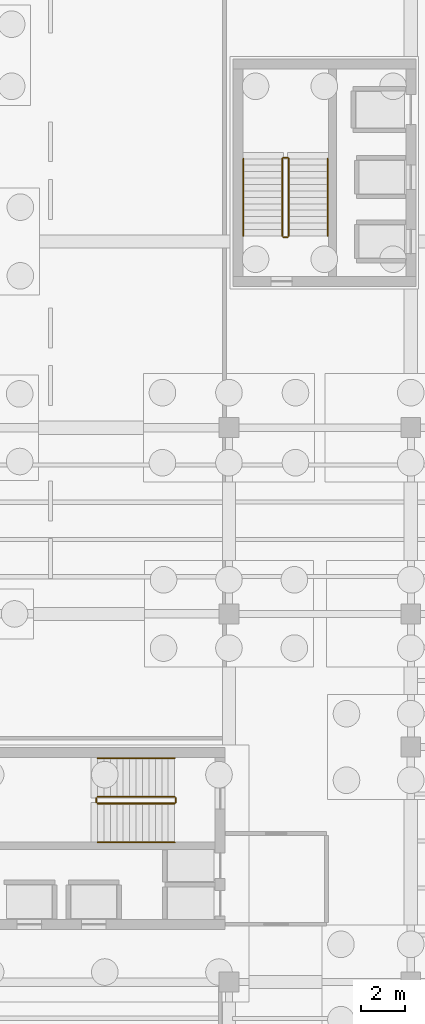
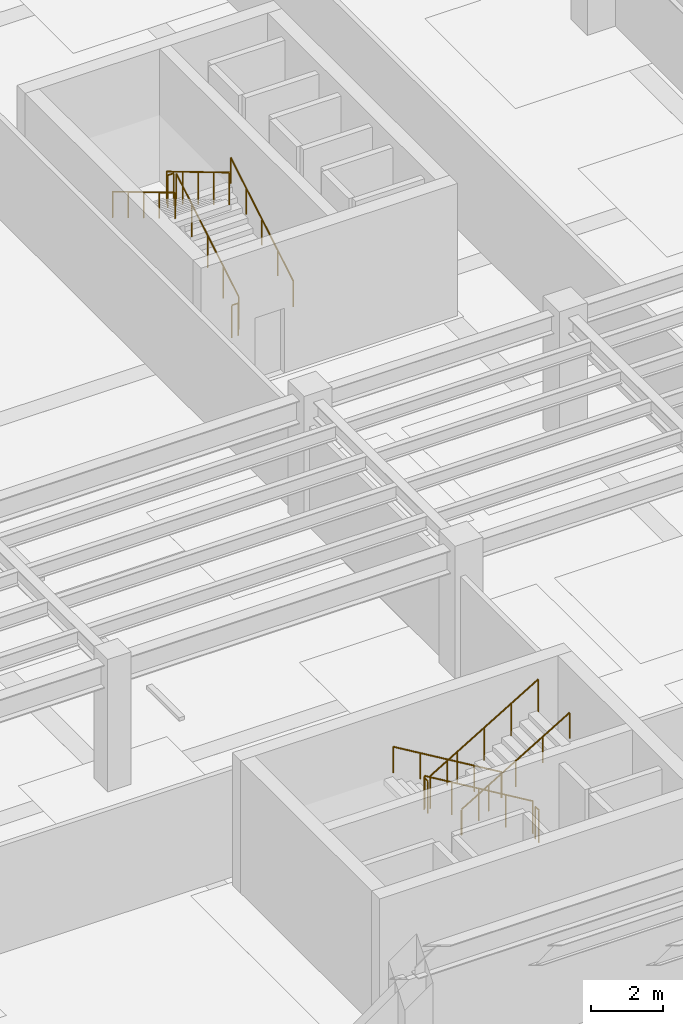
# One storey, part 48 of 49: 12 railings.
"""IFC4 building model written with IfcOpenShell, lengths in metres."""

from ifc_helpers import new_model, si_unit, direction, frame, origin, origin_2d, place, context, subcontext, project, spatial, circle, extrude, material, type_object, element, save


model = new_model("IFC4")

# Units and contexts
model_context = context("Model", 3, precision=1e-05, world=origin(), true_north=direction((0.0, 1.0)))
body_context = subcontext(model_context, "Body", "Model", "MODEL_VIEW")
ifc_project = project(units=[si_unit("LENGTHUNIT", "METRE"), si_unit("AREAUNIT", "SQUARE_METRE"), si_unit("VOLUMEUNIT", "CUBIC_METRE"), si_unit("PLANEANGLEUNIT", "RADIAN"), si_unit("MASSUNIT", "GRAM", prefix="KILO")], contexts=[model_context])

# Site, building, storey
site_placement = place(None, origin())
site = spatial("IfcSite", under=ifc_project, at=site_placement, CompositionType="ELEMENT")
building_placement = place(site_placement, origin())
building = spatial("IfcBuilding", under=site, at=building_placement, Name="Sollismere Congress Hotel", CompositionType="ELEMENT")
storey_placement = place(building_placement, frame((0.0, 0.0, -4.5)))
storey = spatial("IfcBuildingStorey", under=building, at=storey_placement, Name="B1", CompositionType="ELEMENT", Elevation=-4.5)

# Railings
ifc_material_1 = material(Name="Steel ASTM A500 Grade C", Category="steel")
railing_type_1 = type_object("IfcRailingType", Name="RL-GRD112", PredefinedType="GUARDRAIL", material=ifc_material_1)
railing_1_placement = place(storey_placement, frame((144.75, 16.550048828125, 0.173095703125)))
element("IfcRailing", 1, at=railing_1_placement, inside=storey, type_object=railing_type_1, Name="RLG-RG-ST-01-B1-1", PredefinedType="GUARDRAIL", context=body_context, shape_type="SweptSolid", body=[
    extrude(circle(Radius=0.02392578125, at=origin_2d()), frame((0.0, 0.0, 1.09619140625), z_axis=(-0.858697190188, 0.0, 0.512483302717), x_axis=(0.0, -1.0, 0.0)), (0.0, 0.0, 1.0), 4.052734375),
    extrude(circle(Radius=0.02099609375, at=origin_2d()), origin(), (0.0, 0.0, 1.0), 1.072021484375),
    extrude(circle(Radius=0.02099609375, at=origin_2d()), frame((-0.8701171875, 0.0, 0.519287109375)), (0.0, 0.0, 1.0), 1.072021484375),
    extrude(circle(Radius=0.02099609375, at=origin_2d()), frame((-1.739990234375, 0.0, 1.03857421875)), (0.0, 0.0, 1.0), 1.072021484375),
    extrude(circle(Radius=0.02099609375, at=origin_2d()), frame((-2.60986328125, 0.0, 1.5576171875)), (0.0, 0.0, 1.0), 1.072021484375),
    extrude(circle(Radius=0.02099609375, at=origin_2d()), frame((-3.47998046875, 0.0, 2.076904296875)), (0.0, 0.0, 1.0), 1.072021484375),
])
railing_2_placement = place(storey_placement, frame((141.219970703125, 16.5, 2.25)))
element("IfcRailing", 2, at=railing_2_placement, inside=storey, type_object=railing_type_1, Name="RLG-RG-ST-01-B1-2", PredefinedType="GUARDRAIL", context=body_context, shape_type="SweptSolid", body=[
    extrude(circle(Radius=0.02392578125, at=origin_2d()), frame((0.0, 0.0, 1.09619140625), z_axis=(0.0, -1.0, 0.0), x_axis=(1.0, 0.0, 0.0)), (0.0, 0.0, 1.0), 0.199951171875),
    extrude(circle(Radius=0.02099609375, at=origin_2d()), origin(), (0.0, 0.0, 1.0), 1.072021484375),
    extrude(circle(Radius=0.02099609375, at=origin_2d()), frame((0.0, -0.199951171875, 0.0)), (0.0, 0.0, 1.0), 1.072021484375),
])
railing_3_placement = place(storey_placement, frame((141.27001953125, 16.25, 2.423095703125)))
element("IfcRailing", 3, at=railing_3_placement, inside=storey, type_object=railing_type_1, Name="RLG-RG-ST-01-B1-3", PredefinedType="GUARDRAIL", context=body_context, shape_type="SweptSolid", body=[
    extrude(circle(Radius=0.02392578125, at=origin_2d()), frame((0.0, 0.0, 1.09619140625), z_axis=(0.858697190188, 0.0, 0.512483302717), x_axis=(0.0, 1.0, 0.0)), (0.0, 0.0, 1.0), 4.052734375),
    extrude(circle(Radius=0.02099609375, at=origin_2d()), origin(), (0.0, 0.0, 1.0), 1.072021484375),
    extrude(circle(Radius=0.02099609375, at=origin_2d()), frame((0.8701171875, 0.0, 0.519287109375)), (0.0, 0.0, 1.0), 1.072021484375),
    extrude(circle(Radius=0.02099609375, at=origin_2d()), frame((1.739990234375, 0.0, 1.03857421875)), (0.0, 0.0, 1.0), 1.072021484375),
    extrude(circle(Radius=0.02099609375, at=origin_2d()), frame((2.60986328125, 0.0, 1.5576171875)), (0.0, 0.0, 1.0), 1.072021484375),
    extrude(circle(Radius=0.02099609375, at=origin_2d()), frame((3.47998046875, 0.0, 2.076904296875)), (0.0, 0.0, 1.0), 1.072021484375),
])
railing_4_placement = place(storey_placement, frame((144.800048828125, 16.5, 0.0)))
element("IfcRailing", 4, at=railing_4_placement, inside=storey, type_object=railing_type_1, Name="RLG-RG-ST-01-B1-4", PredefinedType="GUARDRAIL", context=body_context, shape_type="SweptSolid", body=[
    extrude(circle(Radius=0.02392578125, at=origin_2d()), frame((0.0, 0.0, 1.09619140625), z_axis=(0.0, -1.0, 0.0), x_axis=(1.0, 0.0, 0.0)), (0.0, 0.0, 1.0), 0.199951171875),
    extrude(circle(Radius=0.02099609375, at=origin_2d()), origin(), (0.0, 0.0, 1.0), 1.072021484375),
    extrude(circle(Radius=0.02099609375, at=origin_2d()), frame((0.0, -0.199951171875, 0.0)), (0.0, 0.0, 1.0), 1.072021484375),
])
railing_5_placement = place(storey_placement, frame((149.89990234375, 41.85009765625, 0.173095703125)))
element("IfcRailing", 5, at=railing_5_placement, inside=storey, type_object=railing_type_1, Name="RLG-RG-ST-03-B1-1", PredefinedType="GUARDRAIL", context=body_context, shape_type="SweptSolid", body=[
    extrude(circle(Radius=0.02392578125, at=origin_2d()), frame((0.0, 0.0, 1.09619140625), z_axis=(0.0, 0.858697190188, 0.512483302717), x_axis=(-1.0, 0.0, 0.0)), (0.0, 0.0, 1.0), 4.052734375),
    extrude(circle(Radius=0.02099609375, at=origin_2d()), origin(), (0.0, 0.0, 1.0), 1.072021484375),
    extrude(circle(Radius=0.02099609375, at=origin_2d()), frame((0.0, 0.8701171875, 0.519287109375)), (0.0, 0.0, 1.0), 1.072021484375),
    extrude(circle(Radius=0.02099609375, at=origin_2d()), frame((0.0, 1.739990234375, 1.03857421875)), (0.0, 0.0, 1.0), 1.072021484375),
    extrude(circle(Radius=0.02099609375, at=origin_2d()), frame((0.0, 2.60986328125, 1.5576171875)), (0.0, 0.0, 1.0), 1.072021484375),
    extrude(circle(Radius=0.02099609375, at=origin_2d()), frame((0.0, 3.47998046875, 2.076904296875)), (0.0, 0.0, 1.0), 1.072021484375),
])
railing_6_placement = place(storey_placement, frame((149.85009765625, 45.3798828125, 2.25)))
element("IfcRailing", 6, at=railing_6_placement, inside=storey, type_object=railing_type_1, Name="RLG-RG-ST-03-B1-2", PredefinedType="GUARDRAIL", context=body_context, shape_type="SweptSolid", body=[
    extrude(circle(Radius=0.02392578125, at=origin_2d()), frame((0.0, 0.0, 1.09619140625), z_axis=(-1.0, 0.0, 0.0), x_axis=(0.0, -1.0, 0.0)), (0.0, 0.0, 1.0), 0.2001953125),
    extrude(circle(Radius=0.02099609375, at=origin_2d()), origin(), (0.0, 0.0, 1.0), 1.072021484375),
    extrude(circle(Radius=0.02099609375, at=origin_2d()), frame((-0.2001953125, 0.0, 0.0)), (0.0, 0.0, 1.0), 1.072021484375),
])
railing_7_placement = place(storey_placement, frame((149.60009765625, 45.330078125, 2.423095703125)))
element("IfcRailing", 7, at=railing_7_placement, inside=storey, type_object=railing_type_1, Name="RLG-RG-ST-03-B1-3", PredefinedType="GUARDRAIL", context=body_context, shape_type="SweptSolid", body=[
    extrude(circle(Radius=0.02392578125, at=origin_2d()), frame((0.0, 0.0, 1.09619140625), z_axis=(0.0, -0.858697190188, 0.512483302717), x_axis=(1.0, 0.0, 0.0)), (0.0, 0.0, 1.0), 4.052734375),
    extrude(circle(Radius=0.02099609375, at=origin_2d()), origin(), (0.0, 0.0, 1.0), 1.072021484375),
    extrude(circle(Radius=0.02099609375, at=origin_2d()), frame((0.0, -0.8701171875, 0.519287109375)), (0.0, 0.0, 1.0), 1.072021484375),
    extrude(circle(Radius=0.02099609375, at=origin_2d()), frame((0.0, -1.739990234375, 1.03857421875)), (0.0, 0.0, 1.0), 1.072021484375),
    extrude(circle(Radius=0.02099609375, at=origin_2d()), frame((0.0, -2.60986328125, 1.5576171875)), (0.0, 0.0, 1.0), 1.072021484375),
    extrude(circle(Radius=0.02099609375, at=origin_2d()), frame((0.0, -3.47998046875, 2.076904296875)), (0.0, 0.0, 1.0), 1.072021484375),
])
railing_8_placement = place(storey_placement, frame((149.85009765625, 41.800048828125, 0.0)))
element("IfcRailing", 8, at=railing_8_placement, inside=storey, type_object=railing_type_1, Name="RLG-RG-ST-03-B1-4", PredefinedType="GUARDRAIL", context=body_context, shape_type="SweptSolid", body=[
    extrude(circle(Radius=0.02392578125, at=origin_2d()), frame((0.0, 0.0, 1.09619140625), z_axis=(-1.0, 0.0, 0.0), x_axis=(0.0, -1.0, 0.0)), (0.0, 0.0, 1.0), 0.2001953125),
    extrude(circle(Radius=0.02099609375, at=origin_2d()), origin(), (0.0, 0.0, 1.0), 1.072021484375),
    extrude(circle(Radius=0.02099609375, at=origin_2d()), frame((-0.2001953125, 0.0, 0.0)), (0.0, 0.0, 1.0), 1.072021484375),
])
ifc_material_2 = material(Name="Brushed Architectural Bronze")
railing_type_2 = type_object("IfcRailingType", Name="RL-HND90", PredefinedType="HANDRAIL", material=ifc_material_2)
railing_9_placement = place(storey_placement, frame((144.75, 18.300048828125, 0.322265625)))
element("IfcRailing", 9, at=railing_9_placement, inside=storey, type_object=railing_type_2, Name="RLG-RH-ST-01-B1-1", PredefinedType="HANDRAIL", context=body_context, shape_type="SweptSolid", body=[
    extrude(circle(Radius=0.02392578125, at=origin_2d()), frame((0.0, 0.0, 0.8759765625), z_axis=(-0.858697190188, 0.0, 0.512483302717), x_axis=(0.0, -1.0, 0.0)), (0.0, 0.0, 1.0), 4.052734375),
    extrude(circle(Radius=0.02099609375, at=origin_2d()), origin(), (0.0, 0.0, 1.0), 0.851806640625),
    extrude(circle(Radius=0.02099609375, at=origin_2d()), frame((-0.8701171875, 0.0, 0.519287109375)), (0.0, 0.0, 1.0), 0.851806640625),
    extrude(circle(Radius=0.02099609375, at=origin_2d()), frame((-1.739990234375, 0.0, 1.03857421875)), (0.0, 0.0, 1.0), 0.851806640625),
    extrude(circle(Radius=0.02099609375, at=origin_2d()), frame((-2.60986328125, 0.0, 1.5576171875)), (0.0, 0.0, 1.0), 0.851806640625),
    extrude(circle(Radius=0.02099609375, at=origin_2d()), frame((-3.47998046875, 0.0, 2.076904296875)), (0.0, 0.0, 1.0), 0.851806640625),
])
railing_10_placement = place(storey_placement, frame((141.27001953125, 14.5, 2.572265625)))
element("IfcRailing", 10, at=railing_10_placement, inside=storey, type_object=railing_type_2, Name="RLG-RH-ST-01-B1-2", PredefinedType="HANDRAIL", context=body_context, shape_type="SweptSolid", body=[
    extrude(circle(Radius=0.02392578125, at=origin_2d()), frame((0.0, 0.0, 0.8759765625), z_axis=(0.858697190188, 0.0, 0.512483302717), x_axis=(0.0, 1.0, 0.0)), (0.0, 0.0, 1.0), 4.052734375),
    extrude(circle(Radius=0.02099609375, at=origin_2d()), origin(), (0.0, 0.0, 1.0), 0.851806640625),
    extrude(circle(Radius=0.02099609375, at=origin_2d()), frame((0.8701171875, 0.0, 0.519287109375)), (0.0, 0.0, 1.0), 0.851806640625),
    extrude(circle(Radius=0.02099609375, at=origin_2d()), frame((1.739990234375, 0.0, 1.03857421875)), (0.0, 0.0, 1.0), 0.851806640625),
    extrude(circle(Radius=0.02099609375, at=origin_2d()), frame((2.60986328125, 0.0, 1.5576171875)), (0.0, 0.0, 1.0), 0.851806640625),
    extrude(circle(Radius=0.02099609375, at=origin_2d()), frame((3.47998046875, 0.0, 2.076904296875)), (0.0, 0.0, 1.0), 0.851806640625),
])
railing_11_placement = place(storey_placement, frame((151.64990234375, 41.85009765625, 0.322265625)))
element("IfcRailing", 11, at=railing_11_placement, inside=storey, type_object=railing_type_2, Name="RLG-RH-ST-03-B1-1", PredefinedType="HANDRAIL", context=body_context, shape_type="SweptSolid", body=[
    extrude(circle(Radius=0.02392578125, at=origin_2d()), frame((0.0, 0.0, 0.8759765625), z_axis=(0.0, 0.858697190188, 0.512483302717), x_axis=(-1.0, 0.0, 0.0)), (0.0, 0.0, 1.0), 4.052734375),
    extrude(circle(Radius=0.02099609375, at=origin_2d()), origin(), (0.0, 0.0, 1.0), 0.851806640625),
    extrude(circle(Radius=0.02099609375, at=origin_2d()), frame((0.0, 0.8701171875, 0.519287109375)), (0.0, 0.0, 1.0), 0.851806640625),
    extrude(circle(Radius=0.02099609375, at=origin_2d()), frame((0.0, 1.739990234375, 1.03857421875)), (0.0, 0.0, 1.0), 0.851806640625),
    extrude(circle(Radius=0.02099609375, at=origin_2d()), frame((0.0, 2.60986328125, 1.5576171875)), (0.0, 0.0, 1.0), 0.851806640625),
    extrude(circle(Radius=0.02099609375, at=origin_2d()), frame((0.0, 3.47998046875, 2.076904296875)), (0.0, 0.0, 1.0), 0.851806640625),
])
railing_12_placement = place(storey_placement, frame((147.85009765625, 45.330078125, 2.572265625)))
element("IfcRailing", 12, at=railing_12_placement, inside=storey, type_object=railing_type_2, Name="RLG-RH-ST-03-B1-2", PredefinedType="HANDRAIL", context=body_context, shape_type="SweptSolid", body=[
    extrude(circle(Radius=0.02392578125, at=origin_2d()), frame((0.0, 0.0, 0.8759765625), z_axis=(0.0, -0.858697190188, 0.512483302717), x_axis=(1.0, 0.0, 0.0)), (0.0, 0.0, 1.0), 4.052734375),
    extrude(circle(Radius=0.02099609375, at=origin_2d()), origin(), (0.0, 0.0, 1.0), 0.851806640625),
    extrude(circle(Radius=0.02099609375, at=origin_2d()), frame((0.0, -0.8701171875, 0.519287109375)), (0.0, 0.0, 1.0), 0.851806640625),
    extrude(circle(Radius=0.02099609375, at=origin_2d()), frame((0.0, -1.739990234375, 1.03857421875)), (0.0, 0.0, 1.0), 0.851806640625),
    extrude(circle(Radius=0.02099609375, at=origin_2d()), frame((0.0, -2.60986328125, 1.5576171875)), (0.0, 0.0, 1.0), 0.851806640625),
    extrude(circle(Radius=0.02099609375, at=origin_2d()), frame((0.0, -3.47998046875, 2.076904296875)), (0.0, 0.0, 1.0), 0.851806640625),
])

save(model, "model.ifc")
